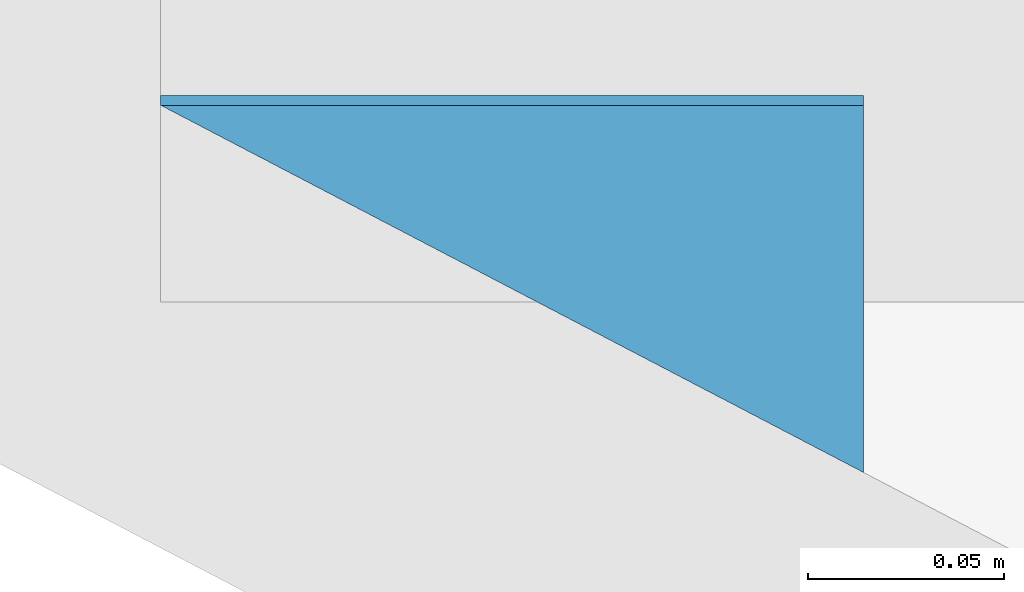
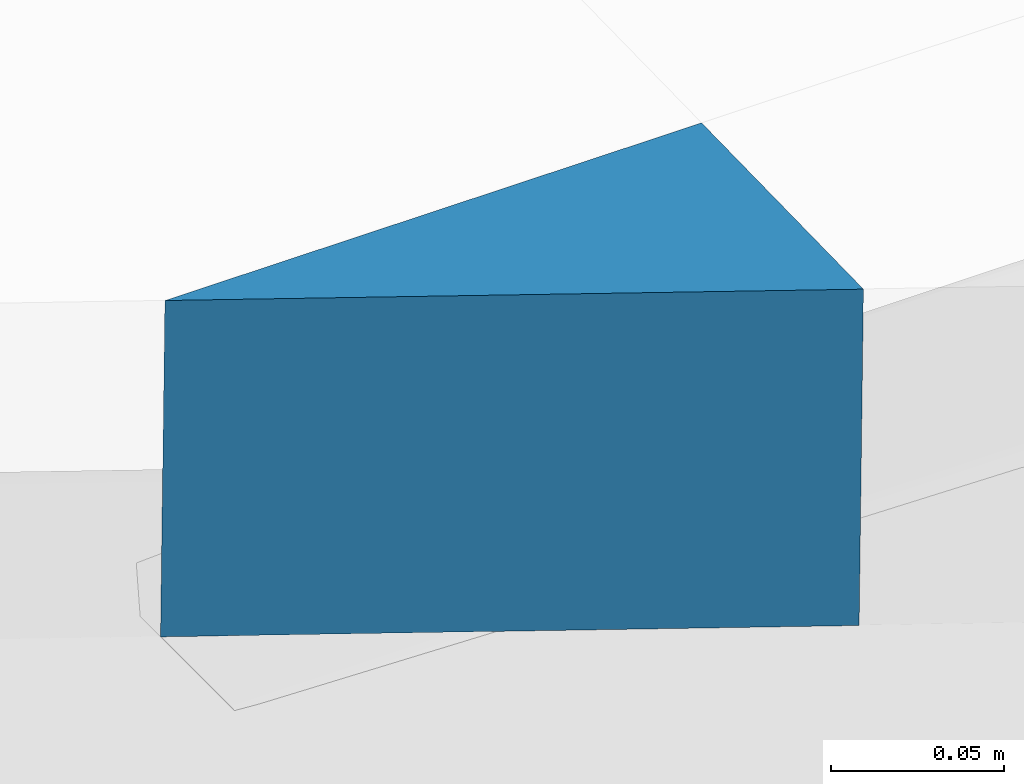
# One storey, part 82 of 129: 1 plate.
"""IFC4 building model written with IfcOpenShell, lengths in metres."""

from ifc_helpers import new_model, si_unit, direction, frame, origin, place, context, subcontext, project, spatial, polyline, outline, extrude, material, layer, layer_set, type_object, element, save


model = new_model("IFC4")

# Units and contexts
model_context = context("Model", 3, precision=1e-05, world=origin(), true_north=direction((0.0, 1.0)))
body_context = subcontext(model_context, "Body", "Model", "MODEL_VIEW")
ifc_project = project(units=[si_unit("LENGTHUNIT", "METRE"), si_unit("AREAUNIT", "SQUARE_METRE"), si_unit("VOLUMEUNIT", "CUBIC_METRE"), si_unit("PLANEANGLEUNIT", "RADIAN"), si_unit("MASSUNIT", "GRAM", prefix="KILO")], contexts=[model_context])

# Site, building, storey
site_placement = place(None, origin())
site = spatial("IfcSite", under=ifc_project, at=site_placement, CompositionType="ELEMENT")
building_placement = place(site_placement, origin())
building = spatial("IfcBuilding", under=site, at=building_placement, Name="Ardhachandra Cancer Care Centre", CompositionType="ELEMENT")
storey_placement = place(building_placement, frame((0.0, 0.0, 4.5)))
storey = spatial("IfcBuildingStorey", under=building, at=storey_placement, Name="L01", CompositionType="ELEMENT", Elevation=4.5)

# Plate
ifc_material = material(Name="Glass, laminated low-e insulating unit", Category="glass")
ifc_layer = layer(ifc_material, 0.1201171875)
ifc_layer_set = layer_set([ifc_layer], Name="Glass, laminated low-e insulating unit")
plate_type = type_object("IfcPlateType", Name="Court glass cassette 120", PredefinedType="SHEET", material=ifc_layer_set)
plate_placement = place(storey_placement, frame((50.8037109375, 31.77490234375, 2.615478515625), z_axis=(0.0, -0.020883173321, 0.999781922757), x_axis=(0.0, -0.999781922757, -0.020883173321)))
element("IfcPlate", 1, at=plate_placement, inside=storey, type_object=plate_type, Name="Court glass cassette 1-9-3", PredefinedType="SHEET", context=body_context, shape_type="SweptSolid", body=[
    extrude(outline(polyline([(0.0, -0.178955078125), (0.093505859375, 0.0), (0.0, 0.0), (0.0, -0.178955078125)])), frame((0.0, 0.0, -0.1201171875)), (0.0, 0.0, 1.0), 0.1201171875),
])

save(model, "model.ifc")
